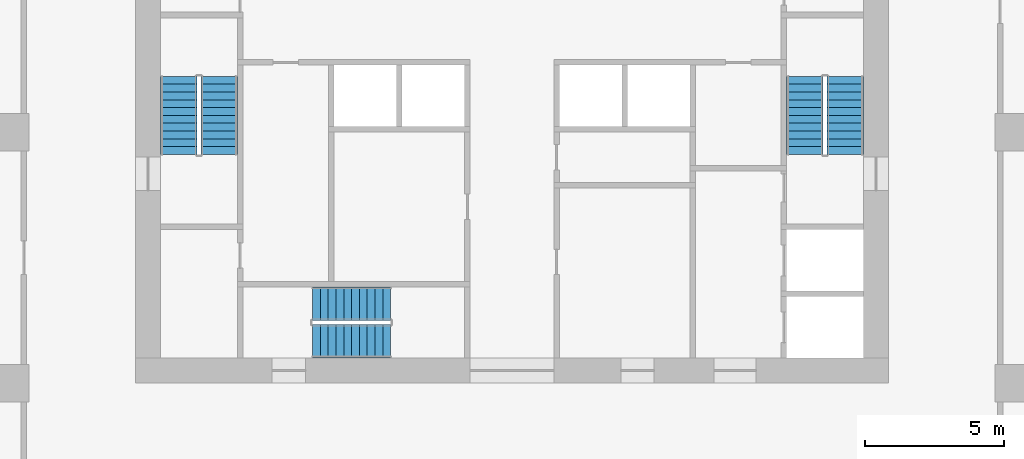
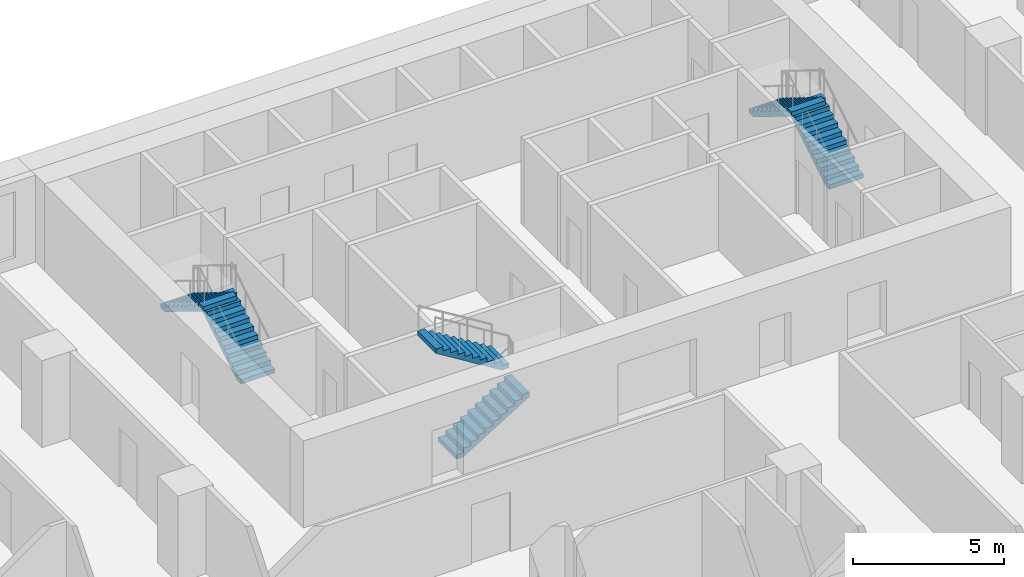
# One storey, part 7 of 14: 6 stair flights, 3 elements without a shape of their own.
"""IFC4 building model written with IfcOpenShell, lengths in metres."""

from ifc_helpers import new_model, si_unit, direction, frame, origin, place, context, subcontext, project, spatial, polyline, outline, extrude, material, type_object, element, aggregate, save


model = new_model("IFC4")

# Units and contexts
model_context = context("Model", 3, precision=1e-05, world=origin(), true_north=direction((0.0, 1.0)))
body_context = subcontext(model_context, "Body", "Model", "MODEL_VIEW")
ifc_project = project(units=[si_unit("LENGTHUNIT", "METRE"), si_unit("AREAUNIT", "SQUARE_METRE"), si_unit("VOLUMEUNIT", "CUBIC_METRE"), si_unit("PLANEANGLEUNIT", "RADIAN"), si_unit("MASSUNIT", "GRAM", prefix="KILO")], contexts=[model_context])

# Site, building, storey
site_placement = place(None, origin())
site = spatial("IfcSite", under=ifc_project, at=site_placement, CompositionType="ELEMENT")
building_placement = place(site_placement, origin())
building = spatial("IfcBuilding", under=site, at=building_placement, Name="Orbiselva Terraces", CompositionType="ELEMENT")
storey_placement = place(building_placement, frame((0.0, 0.0, 103.6)))
storey = spatial("IfcBuildingStorey", under=building, at=storey_placement, Name="L26", CompositionType="ELEMENT", Elevation=103.6)

# Stair, stair flights
ifc_material = material(Name="Concrete C40/50", Category="concrete")
stair_type_1 = type_object("IfcStairType", Name="CORE-STAIR-1200", PredefinedType="HALF_TURN_STAIR", material=ifc_material)
stair_1_placement = place(storey_placement, origin())
stair_1 = element("IfcStair", 1, at=stair_1_placement, inside=storey, type_object=stair_type_1, Name="L26 Exit Stair S3", PredefinedType="HALF_TURN_STAIR")
stair_flight_type_1 = type_object("IfcStairFlightType", Name="CORE-STAIR-FLIGHT-1200", PredefinedType="STRAIGHT", material=ifc_material)
stair_flight_1_placement = place(storey_placement, frame((-7.15, 6.0, 0.0), z_axis=(0.0, 0.0, 1.0), x_axis=(1.0, 0.0, 0.0)))
stair_flight_1 = element("IfcStairFlight", 2, at=stair_flight_1_placement, type_object=stair_flight_type_1, Name="S3 flight 1", NumberOfRisers=11, NumberOfTreads=10, PredefinedType="STRAIGHT", RiserHeight=0.172727273, TreadLength=0.28, context=body_context, shape_type="SweptSolid", body=[
    extrude(outline(polyline([(0.0, 0.0), (0.0, 0.172727), (0.28, 0.172727), (0.28, 0.345455), (0.56, 0.345455), (0.56, 0.518182), (0.84, 0.518182), (0.84, 0.690909), (1.12, 0.690909), (1.12, 0.863636), (1.4, 0.863636), (1.4, 1.036364), (1.68, 1.036364), (1.68, 1.209091), (1.96, 1.209091), (1.96, 1.381818), (2.24, 1.381818), (2.24, 1.554545), (2.52, 1.554545), (2.52, 1.727273), (2.8, 1.727273), (2.8, 1.9), (2.8, 1.551028), (0.285702, 0.0), (0.0, 0.0)])), frame((0.0, 0.6, 0.0), z_axis=(0.0, -1.0, 0.0), x_axis=(1.0, 0.0, 0.0)), (0.0, 0.0, 1.0), 1.2),
])
stair_flight_2_placement = place(storey_placement, frame((-4.35, 7.35, 1.9), z_axis=(0.0, 0.0, 1.0), x_axis=(-1.0, 0.0, 0.0)))
stair_flight_2 = element("IfcStairFlight", 3, at=stair_flight_2_placement, type_object=stair_flight_type_1, Name="S3 flight 2", NumberOfRisers=11, NumberOfTreads=10, PredefinedType="STRAIGHT", RiserHeight=0.172727273, TreadLength=0.28, context=body_context, shape_type="SweptSolid", body=[
    extrude(outline(polyline([(0.0, 0.0), (0.0, 0.172727), (0.28, 0.172727), (0.28, 0.345455), (0.56, 0.345455), (0.56, 0.518182), (0.84, 0.518182), (0.84, 0.690909), (1.12, 0.690909), (1.12, 0.863636), (1.4, 0.863636), (1.4, 1.036364), (1.68, 1.036364), (1.68, 1.209091), (1.96, 1.209091), (1.96, 1.381818), (2.24, 1.381818), (2.24, 1.554545), (2.52, 1.554545), (2.52, 1.727273), (2.8, 1.727273), (2.8, 1.9), (2.8, 1.551028), (0.285702, 0.0), (0.0, 0.0)])), frame((0.0, 0.6, 0.0), z_axis=(0.0, -1.0, 0.0), x_axis=(1.0, 0.0, 0.0)), (0.0, 0.0, 1.0), 1.2),
])
aggregate(stair_1, [stair_flight_1, stair_flight_2])

stair_type_2 = type_object("IfcStairType", Name="CORE-STAIR-1300", PredefinedType="HALF_TURN_STAIR", material=ifc_material)
stair_2_placement = place(storey_placement, origin())
stair_2 = element("IfcStair", 4, at=stair_2_placement, inside=storey, type_object=stair_type_2, Name="L26 Exit Stair S1", PredefinedType="HALF_TURN_STAIR")
stair_flight_type_2 = type_object("IfcStairFlightType", Name="CORE-STAIR-FLIGHT-1300", PredefinedType="STRAIGHT", material=ifc_material)
stair_flight_3_placement = place(storey_placement, frame((-10.5, 12.7, 0.0), z_axis=(0.0, 0.0, 1.0), x_axis=(0.0, 1.0, 0.0)))
stair_flight_3 = element("IfcStairFlight", 5, at=stair_flight_3_placement, type_object=stair_flight_type_2, Name="S1 flight 1", NumberOfRisers=11, NumberOfTreads=10, PredefinedType="STRAIGHT", RiserHeight=0.172727273, TreadLength=0.28, context=body_context, shape_type="SweptSolid", body=[
    extrude(outline(polyline([(0.0, 0.0), (0.0, 0.172727), (0.28, 0.172727), (0.28, 0.345455), (0.56, 0.345455), (0.56, 0.518182), (0.84, 0.518182), (0.84, 0.690909), (1.12, 0.690909), (1.12, 0.863636), (1.4, 0.863636), (1.4, 1.036364), (1.68, 1.036364), (1.68, 1.209091), (1.96, 1.209091), (1.96, 1.381818), (2.24, 1.381818), (2.24, 1.554545), (2.52, 1.554545), (2.52, 1.727273), (2.8, 1.727273), (2.8, 1.9), (2.8, 1.551028), (0.285702, 0.0), (0.0, 0.0)])), frame((0.0, 0.65, 0.0), z_axis=(0.0, -1.0, 0.0), x_axis=(1.0, 0.0, 0.0)), (0.0, 0.0, 1.0), 1.3),
])
stair_flight_4_placement = place(storey_placement, frame((-11.95, 15.5, 1.9), z_axis=(0.0, 0.0, 1.0), x_axis=(0.0, -1.0, 0.0)))
stair_flight_4 = element("IfcStairFlight", 6, at=stair_flight_4_placement, type_object=stair_flight_type_2, Name="S1 flight 2", NumberOfRisers=11, NumberOfTreads=10, PredefinedType="STRAIGHT", RiserHeight=0.172727273, TreadLength=0.28, context=body_context, shape_type="SweptSolid", body=[
    extrude(outline(polyline([(0.0, 0.0), (0.0, 0.172727), (0.28, 0.172727), (0.28, 0.345455), (0.56, 0.345455), (0.56, 0.518182), (0.84, 0.518182), (0.84, 0.690909), (1.12, 0.690909), (1.12, 0.863636), (1.4, 0.863636), (1.4, 1.036364), (1.68, 1.036364), (1.68, 1.209091), (1.96, 1.209091), (1.96, 1.381818), (2.24, 1.381818), (2.24, 1.554545), (2.52, 1.554545), (2.52, 1.727273), (2.8, 1.727273), (2.8, 1.9), (2.8, 1.551028), (0.285702, 0.0), (0.0, 0.0)])), frame((0.0, 0.65, 0.0), z_axis=(0.0, -1.0, 0.0), x_axis=(1.0, 0.0, 0.0)), (0.0, 0.0, 1.0), 1.3),
])
aggregate(stair_2, [stair_flight_3, stair_flight_4])

stair_3_placement = place(storey_placement, origin())
stair_3 = element("IfcStair", 7, at=stair_3_placement, inside=storey, type_object=stair_type_2, Name="L26 Exit Stair S2", PredefinedType="HALF_TURN_STAIR")
stair_flight_5_placement = place(storey_placement, frame((11.95, 12.7, 0.0), z_axis=(0.0, 0.0, 1.0), x_axis=(0.0, 1.0, 0.0)))
stair_flight_5 = element("IfcStairFlight", 8, at=stair_flight_5_placement, type_object=stair_flight_type_2, Name="S2 flight 1", NumberOfRisers=11, NumberOfTreads=10, PredefinedType="STRAIGHT", RiserHeight=0.172727273, TreadLength=0.28, context=body_context, shape_type="SweptSolid", body=[
    extrude(outline(polyline([(0.0, 0.0), (0.0, 0.172727), (0.28, 0.172727), (0.28, 0.345455), (0.56, 0.345455), (0.56, 0.518182), (0.84, 0.518182), (0.84, 0.690909), (1.12, 0.690909), (1.12, 0.863636), (1.4, 0.863636), (1.4, 1.036364), (1.68, 1.036364), (1.68, 1.209091), (1.96, 1.209091), (1.96, 1.381818), (2.24, 1.381818), (2.24, 1.554545), (2.52, 1.554545), (2.52, 1.727273), (2.8, 1.727273), (2.8, 1.9), (2.8, 1.551028), (0.285702, 0.0), (0.0, 0.0)])), frame((0.0, 0.65, 0.0), z_axis=(0.0, -1.0, 0.0), x_axis=(1.0, 0.0, 0.0)), (0.0, 0.0, 1.0), 1.3),
])
stair_flight_6_placement = place(storey_placement, frame((10.5, 15.5, 1.9), z_axis=(0.0, 0.0, 1.0), x_axis=(0.0, -1.0, 0.0)))
stair_flight_6 = element("IfcStairFlight", 9, at=stair_flight_6_placement, type_object=stair_flight_type_2, Name="S2 flight 2", NumberOfRisers=11, NumberOfTreads=10, PredefinedType="STRAIGHT", RiserHeight=0.172727273, TreadLength=0.28, context=body_context, shape_type="SweptSolid", body=[
    extrude(outline(polyline([(0.0, 0.0), (0.0, 0.172727), (0.28, 0.172727), (0.28, 0.345455), (0.56, 0.345455), (0.56, 0.518182), (0.84, 0.518182), (0.84, 0.690909), (1.12, 0.690909), (1.12, 0.863636), (1.4, 0.863636), (1.4, 1.036364), (1.68, 1.036364), (1.68, 1.209091), (1.96, 1.209091), (1.96, 1.381818), (2.24, 1.381818), (2.24, 1.554545), (2.52, 1.554545), (2.52, 1.727273), (2.8, 1.727273), (2.8, 1.9), (2.8, 1.551028), (0.285702, 0.0), (0.0, 0.0)])), frame((0.0, 0.65, 0.0), z_axis=(0.0, -1.0, 0.0), x_axis=(1.0, 0.0, 0.0)), (0.0, 0.0, 1.0), 1.3),
])
aggregate(stair_3, [stair_flight_5, stair_flight_6])

save(model, "model.ifc")
